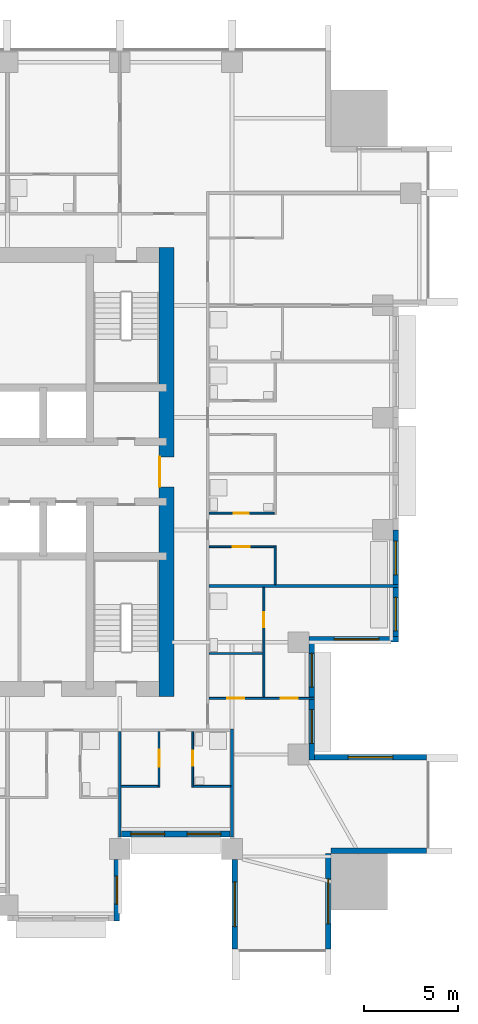
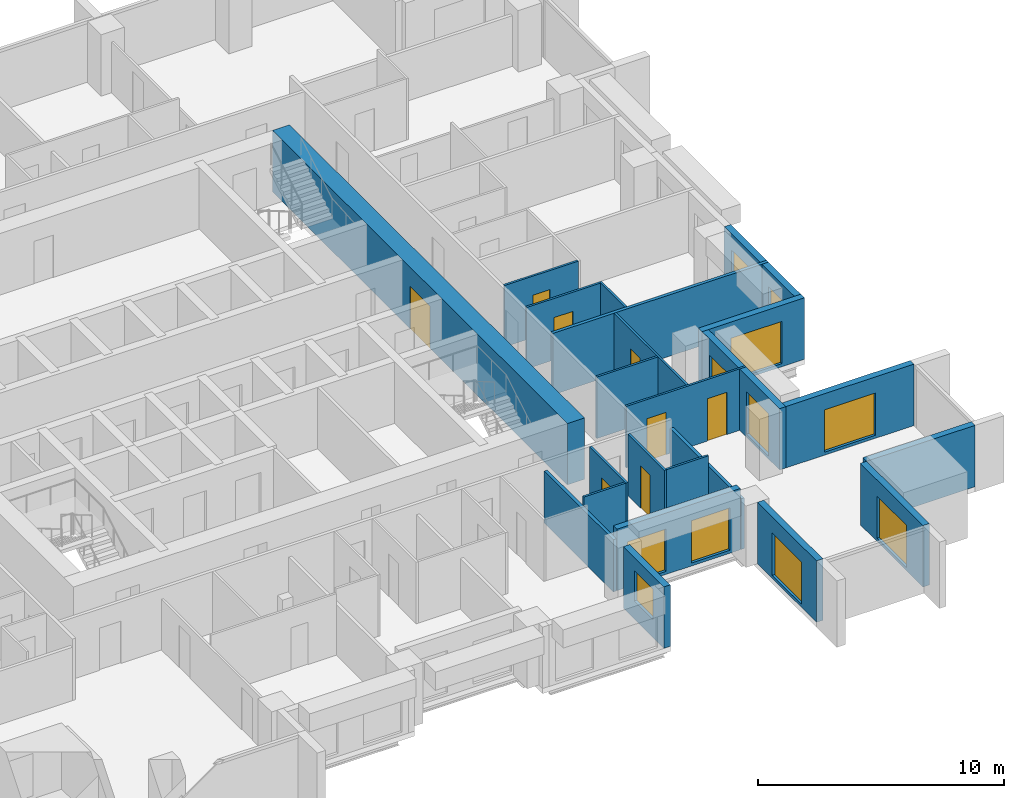
# One storey, part 6 of 11: 23 walls, 11 windows, 8 doors, 19 openings.
"""IFC4 building model written with IfcOpenShell, lengths in metres."""

from ifc_helpers import new_model, si_unit, direction, frame, frame_2d, origin, place, context, subcontext, project, spatial, rectangle, extrude, material, layer, layer_set, type_object, element, fill, save


model = new_model("IFC4")

# Units and contexts
model_context = context("Model", 3, precision=1e-05, world=origin(), true_north=direction((0.0, 1.0)))
body_context = subcontext(model_context, "Body", "Model", "MODEL_VIEW")
ifc_project = project(units=[si_unit("LENGTHUNIT", "METRE"), si_unit("AREAUNIT", "SQUARE_METRE"), si_unit("VOLUMEUNIT", "CUBIC_METRE"), si_unit("PLANEANGLEUNIT", "RADIAN"), si_unit("MASSUNIT", "GRAM", prefix="KILO")], contexts=[model_context])

# Site, building, storey
site_placement = place(None, origin())
site = spatial("IfcSite", under=ifc_project, at=site_placement, CompositionType="ELEMENT")
building_placement = place(site_placement, origin())
building = spatial("IfcBuilding", under=site, at=building_placement, Name="Amberfall Residences", CompositionType="ELEMENT")
storey_placement = place(building_placement, frame((0.0, 0.0, 95.199951171875)))
storey = spatial("IfcBuildingStorey", under=building, at=storey_placement, Name="L25", CompositionType="ELEMENT", Elevation=95.199951171875)

# Wall, opening, window
ifc_material_1 = material(Name="Pale stone cladding on insulated backing", Category="masonry")
ifc_layer_1 = layer(ifc_material_1, 0.300048828125)
ifc_layer_set_1 = layer_set([ifc_layer_1], Name="Bronze clad wall 300")
wall_type_1 = type_object("IfcWallType", Name="Bronze clad wall 300", PredefinedType="SOLIDWALL", material=ifc_layer_set_1)
wall_1_placement = place(storey_placement, frame((83.449951171875, 21.5, 0.0), z_axis=(0.0, 0.0, 1.0), x_axis=(0.0, 1.0, 0.0)))
wall_1 = element("IfcWall", 1, at=wall_1_placement, inside=storey, type_object=wall_type_1, Name="External wall L25 S", PredefinedType="SOLIDWALL", context=body_context, shape_type="SweptSolid", body=[
    extrude(rectangle(XDim=3.300048828125, YDim=0.300048828125, at=frame_2d((1.64990234375, 0.0))), origin(), (0.0, 0.0, 1.0), 3.050048828125),
])
opening_1_placement = place(wall_1_placement, frame((0.89990234375, 0.0, 0.89990234375)))
opening_1 = element("IfcOpeningElement", 2, at=opening_1_placement, cuts=wall_1, Name="Opening WN1", PredefinedType="OPENING", context=body_context, shape_type="SweptSolid", body=[
    extrude(rectangle(XDim=1.5, YDim=1.5, at=frame_2d((0.75, 0.75))), frame((0.0, 0.159912109375, 0.0), z_axis=(0.0, -1.0, 0.0), x_axis=(1.0, 0.0, 0.0)), (0.0, 0.0, 1.0), 0.320068359375),
])
ifc_material_2 = material(Name="Bronze aluminium framed glazing", Category="aluminium")
window_type_1 = type_object("IfcWindowType", Name="Window 1500 x 1500 bronze", PartitioningType="DOUBLE_PANEL_VERTICAL", PredefinedType="WINDOW", material=ifc_material_2)
window_1_placement = place(opening_1_placement, origin())
window_1 = element("IfcWindow", 3, at=window_1_placement, inside=storey, type_object=window_type_1, Name="Window L25 S", OverallHeight=1.5, OverallWidth=1.5, PartitioningType="DOUBLE_PANEL_VERTICAL", PredefinedType="WINDOW", context=body_context, shape_type="SweptSolid", body=[
    extrude(rectangle(XDim=1.5, YDim=1.5, at=frame_2d((0.75, 0.75))), frame((0.0, 0.030029296875, 0.0), z_axis=(0.0, -1.0, 0.0), x_axis=(1.0, 0.0, 0.0)), (0.0, 0.0, 1.0), 0.06005859375),
])
fill(opening_1, window_1)

wall_2_placement = place(storey_placement, frame((89.75, 24.800048828125, 0.0), z_axis=(0.0, 0.0, 1.0), x_axis=(0.0, -1.0, 0.0)))
wall_2 = element("IfcWall", 4, at=wall_2_placement, inside=storey, type_object=wall_type_1, Name="External wall L25 S", PredefinedType="SOLIDWALL", context=body_context, shape_type="SweptSolid", body=[
    extrude(rectangle(XDim=4.800048828125, YDim=0.300048828125, at=frame_2d((2.39990234375, 0.0))), origin(), (0.0, 0.0, 1.0), 3.050048828125),
])
opening_2_placement = place(wall_2_placement, frame((1.199951171875, 0.0, 0.14990234375)))
opening_2 = element("IfcOpeningElement", 5, at=opening_2_placement, cuts=wall_2, Name="Opening WN5", PredefinedType="OPENING", context=body_context, shape_type="SweptSolid", body=[
    extrude(rectangle(XDim=2.39990234375, YDim=2.10009765625, at=frame_2d((1.199951171875, 1.050048828125))), frame((0.0, 0.159912109375, 0.0), z_axis=(0.0, -1.0, 0.0), x_axis=(1.0, 0.0, 0.0)), (0.0, 0.0, 1.0), 0.320068359375),
])
window_type_2 = type_object("IfcWindowType", Name="Glazed opening 2400 x 2100 bronze", PartitioningType="DOUBLE_PANEL_VERTICAL", PredefinedType="WINDOW", material=ifc_material_2)
window_2_placement = place(opening_2_placement, origin())
window_2 = element("IfcWindow", 6, at=window_2_placement, inside=storey, type_object=window_type_2, Name="Window L25 S", OverallHeight=2.10009765625, OverallWidth=2.39990234375, PartitioningType="DOUBLE_PANEL_VERTICAL", PredefinedType="WINDOW", context=body_context, shape_type="SweptSolid", body=[
    extrude(rectangle(XDim=2.39990234375, YDim=2.10009765625, at=frame_2d((1.199951171875, 1.050048828125))), frame((0.0, 0.030029296875, 0.0), z_axis=(0.0, -1.0, 0.0), x_axis=(1.0, 0.0, 0.0)), (0.0, 0.0, 1.0), 0.06005859375),
])
fill(opening_2, window_2)

wall_3_placement = place(storey_placement, frame((94.75, 20.0, 0.0), z_axis=(0.0, 0.0, 1.0), x_axis=(0.0, 1.0, 0.0)))
wall_3 = element("IfcWall", 7, at=wall_3_placement, inside=storey, type_object=wall_type_1, Name="External wall L25 SE", PredefinedType="SOLIDWALL", context=body_context, shape_type="SweptSolid", body=[
    extrude(rectangle(XDim=5.10009765625, YDim=0.300048828125, at=frame_2d((2.550048828125, 0.0))), origin(), (0.0, 0.0, 1.0), 3.050048828125),
])
opening_3_placement = place(wall_3_placement, frame((1.35009765625, 0.0, 0.14990234375)))
opening_3 = element("IfcOpeningElement", 8, at=opening_3_placement, cuts=wall_3, Name="Opening WN5", PredefinedType="OPENING", context=body_context, shape_type="SweptSolid", body=[
    extrude(rectangle(XDim=2.39990234375, YDim=2.10009765625, at=frame_2d((1.199951171875, 1.050048828125))), frame((0.0, 0.159912109375, 0.0), z_axis=(0.0, -1.0, 0.0), x_axis=(1.0, 0.0, 0.0)), (0.0, 0.0, 1.0), 0.320068359375),
])
window_3_placement = place(opening_3_placement, origin())
window_3 = element("IfcWindow", 9, at=window_3_placement, inside=storey, type_object=window_type_2, Name="Window L25 SE", OverallHeight=2.10009765625, OverallWidth=2.39990234375, PartitioningType="DOUBLE_PANEL_VERTICAL", PredefinedType="WINDOW", context=body_context, shape_type="SweptSolid", body=[
    extrude(rectangle(XDim=2.39990234375, YDim=2.10009765625, at=frame_2d((1.199951171875, 1.050048828125))), frame((0.0, 0.030029296875, 0.0), z_axis=(0.0, -1.0, 0.0), x_axis=(1.0, 0.0, 0.0)), (0.0, 0.0, 1.0), 0.06005859375),
])
fill(opening_3, window_3)

# Wall
wall_4_placement = place(storey_placement, frame((94.89990234375, 25.25, 0.0), z_axis=(0.0, 0.0, 1.0), x_axis=(1.0, 0.0, 0.0)))
element("IfcWall", 10, at=wall_4_placement, inside=storey, type_object=wall_type_1, Name="External wall L25 SE", PredefinedType="SOLIDWALL", context=body_context, shape_type="SweptSolid", body=[
    extrude(rectangle(XDim=5.10009765625, YDim=0.300048828125, at=frame_2d((2.550048828125, 0.0))), origin(), (0.0, 0.0, 1.0), 3.050048828125),
])

# Wall, opening, window
wall_5_placement = place(storey_placement, frame((100.0, 30.25, 0.0), z_axis=(0.0, 0.0, 1.0), x_axis=(-1.0, 0.0, 0.0)))
wall_5 = element("IfcWall", 11, at=wall_5_placement, inside=storey, type_object=wall_type_1, Name="External wall L25 E", PredefinedType="SOLIDWALL", context=body_context, shape_type="SweptSolid", body=[
    extrude(rectangle(XDim=6.0, YDim=0.300048828125, at=frame_2d((3.0, 0.0))), origin(), (0.0, 0.0, 1.0), 3.050048828125),
])
opening_4_placement = place(wall_5_placement, frame((1.800048828125, 0.0, 0.14990234375)))
opening_4 = element("IfcOpeningElement", 12, at=opening_4_placement, cuts=wall_5, Name="Opening WN5", PredefinedType="OPENING", context=body_context, shape_type="SweptSolid", body=[
    extrude(rectangle(XDim=2.39990234375, YDim=2.10009765625, at=frame_2d((1.199951171875, 1.050048828125))), frame((0.0, 0.159912109375, 0.0), z_axis=(0.0, -1.0, 0.0), x_axis=(1.0, 0.0, 0.0)), (0.0, 0.0, 1.0), 0.320068359375),
])
window_4_placement = place(opening_4_placement, origin())
window_4 = element("IfcWindow", 13, at=window_4_placement, inside=storey, type_object=window_type_2, Name="Window L25 E", OverallHeight=2.10009765625, OverallWidth=2.39990234375, PartitioningType="DOUBLE_PANEL_VERTICAL", PredefinedType="WINDOW", context=body_context, shape_type="SweptSolid", body=[
    extrude(rectangle(XDim=2.39990234375, YDim=2.10009765625, at=frame_2d((1.199951171875, 1.050048828125))), frame((0.0, 0.030029296875, 0.0), z_axis=(0.0, -1.0, 0.0), x_axis=(1.0, 0.0, 0.0)), (0.0, 0.0, 1.0), 0.06005859375),
])
fill(opening_4, window_4)

wall_6_placement = place(storey_placement, frame((93.699951171875, 36.550048828125, 0.0), z_axis=(0.0, 0.0, 1.0), x_axis=(1.0, 0.0, 0.0)))
wall_6 = element("IfcWall", 14, at=wall_6_placement, inside=storey, type_object=wall_type_1, Name="External wall L25 E", PredefinedType="SOLIDWALL", context=body_context, shape_type="SweptSolid", body=[
    extrude(rectangle(XDim=4.800048828125, YDim=0.300048828125, at=frame_2d((2.39990234375, 0.0))), origin(), (0.0, 0.0, 1.0), 3.050048828125),
])
opening_5_placement = place(wall_6_placement, frame((1.35009765625, 0.0, 0.14990234375)))
opening_5 = element("IfcOpeningElement", 15, at=opening_5_placement, cuts=wall_6, Name="Opening WN5", PredefinedType="OPENING", context=body_context, shape_type="SweptSolid", body=[
    extrude(rectangle(XDim=2.39990234375, YDim=2.10009765625, at=frame_2d((1.199951171875, 1.050048828125))), frame((0.0, 0.159912109375, 0.0), z_axis=(0.0, -1.0, 0.0), x_axis=(1.0, 0.0, 0.0)), (0.0, 0.0, 1.0), 0.320068359375),
])
window_5_placement = place(opening_5_placement, origin())
window_5 = element("IfcWindow", 16, at=window_5_placement, inside=storey, type_object=window_type_2, Name="Window L25 E", OverallHeight=2.10009765625, OverallWidth=2.39990234375, PartitioningType="DOUBLE_PANEL_VERTICAL", PredefinedType="WINDOW", context=body_context, shape_type="SweptSolid", body=[
    extrude(rectangle(XDim=2.39990234375, YDim=2.10009765625, at=frame_2d((1.199951171875, 1.050048828125))), frame((0.0, 0.030029296875, 0.0), z_axis=(0.0, -1.0, 0.0), x_axis=(1.0, 0.0, 0.0)), (0.0, 0.0, 1.0), 0.06005859375),
])
fill(opening_5, window_5)

# Wall, openings, windows
wall_7_placement = place(storey_placement, frame((83.699951171875, 26.14990234375, 0.0), z_axis=(0.0, 0.0, 1.0), x_axis=(1.0, 0.0, 0.0)))
wall_7 = element("IfcWall", 17, at=wall_7_placement, inside=storey, type_object=wall_type_1, Name="Stone wall L25 S", PredefinedType="SOLIDWALL", context=body_context, shape_type="SweptSolid", body=[
    extrude(rectangle(XDim=5.7900390625, YDim=0.300048828125, at=frame_2d((2.89501953125, 0.0))), origin(), (0.0, 0.0, 1.0), 3.050048828125),
])
opening_6_placement = place(wall_7_placement, frame((0.5, 0.0, 0.14990234375)))
opening_6 = element("IfcOpeningElement", 18, at=opening_6_placement, cuts=wall_7, Name="Opening WN6", PredefinedType="OPENING", context=body_context, shape_type="SweptSolid", body=[
    extrude(rectangle(XDim=1.800048828125, YDim=2.10009765625, at=frame_2d((0.89990234375, 1.050048828125))), frame((0.0, 0.159912109375, 0.0), z_axis=(0.0, -1.0, 0.0), x_axis=(1.0, 0.0, 0.0)), (0.0, 0.0, 1.0), 0.320068359375),
])
opening_7_placement = place(wall_7_placement, frame((3.5, 0.0, 0.14990234375)))
opening_7 = element("IfcOpeningElement", 19, at=opening_7_placement, cuts=wall_7, Name="Opening WN6", PredefinedType="OPENING", context=body_context, shape_type="SweptSolid", body=[
    extrude(rectangle(XDim=1.800048828125, YDim=2.10009765625, at=frame_2d((0.89990234375, 1.050048828125))), frame((0.0, 0.159912109375, 0.0), z_axis=(0.0, -1.0, 0.0), x_axis=(1.0, 0.0, 0.0)), (0.0, 0.0, 1.0), 0.320068359375),
])
window_type_3 = type_object("IfcWindowType", Name="Glazed opening 1800 x 2100 bronze", PartitioningType="DOUBLE_PANEL_VERTICAL", PredefinedType="WINDOW", material=ifc_material_2)
window_6_placement = place(opening_6_placement, origin())
window_6 = element("IfcWindow", 20, at=window_6_placement, inside=storey, type_object=window_type_3, Name="Window L25 S", OverallHeight=2.10009765625, OverallWidth=1.800048828125, PartitioningType="DOUBLE_PANEL_VERTICAL", PredefinedType="WINDOW", context=body_context, shape_type="SweptSolid", body=[
    extrude(rectangle(XDim=1.800048828125, YDim=2.10009765625, at=frame_2d((0.89990234375, 1.050048828125))), frame((0.0, 0.030029296875, 0.0), z_axis=(0.0, -1.0, 0.0), x_axis=(1.0, 0.0, 0.0)), (0.0, 0.0, 1.0), 0.06005859375),
])
fill(opening_6, window_6)
window_7_placement = place(opening_7_placement, origin())
window_7 = element("IfcWindow", 21, at=window_7_placement, inside=storey, type_object=window_type_3, Name="Window L25 S", OverallHeight=2.10009765625, OverallWidth=1.800048828125, PartitioningType="DOUBLE_PANEL_VERTICAL", PredefinedType="WINDOW", context=body_context, shape_type="SweptSolid", body=[
    extrude(rectangle(XDim=1.800048828125, YDim=2.10009765625, at=frame_2d((0.89990234375, 1.050048828125))), frame((0.0, 0.030029296875, 0.0), z_axis=(0.0, -1.0, 0.0), x_axis=(1.0, 0.0, 0.0)), (0.0, 0.0, 1.0), 0.06005859375),
])
fill(opening_7, window_7)

wall_8_placement = place(storey_placement, frame((93.85009765625, 30.10009765625, 0.0), z_axis=(0.0, 0.0, 1.0), x_axis=(0.0, 1.0, 0.0)))
wall_8 = element("IfcWall", 22, at=wall_8_placement, inside=storey, type_object=wall_type_1, Name="Stone wall L25 E", PredefinedType="SOLIDWALL", context=body_context, shape_type="SweptSolid", body=[
    extrude(rectangle(XDim=6.2998046875, YDim=0.300048828125, at=frame_2d((3.14990234375, 0.0))), origin(), (0.0, 0.0, 1.0), 3.050048828125),
])
opening_8_placement = place(wall_8_placement, frame((0.89990234375, 0.0, 0.14990234375)))
opening_8 = element("IfcOpeningElement", 23, at=opening_8_placement, cuts=wall_8, Name="Opening WN6", PredefinedType="OPENING", context=body_context, shape_type="SweptSolid", body=[
    extrude(rectangle(XDim=1.800048828125, YDim=2.10009765625, at=frame_2d((0.89990234375, 1.050048828125))), frame((0.0, 0.159912109375, 0.0), z_axis=(0.0, -1.0, 0.0), x_axis=(1.0, 0.0, 0.0)), (0.0, 0.0, 1.0), 0.320068359375),
])
opening_9_placement = place(wall_8_placement, frame((3.89990234375, 0.0, 0.14990234375)))
opening_9 = element("IfcOpeningElement", 24, at=opening_9_placement, cuts=wall_8, Name="Opening WN6", PredefinedType="OPENING", context=body_context, shape_type="SweptSolid", body=[
    extrude(rectangle(XDim=1.800048828125, YDim=2.10009765625, at=frame_2d((0.89990234375, 1.050048828125))), frame((0.0, 0.159912109375, 0.0), z_axis=(0.0, -1.0, 0.0), x_axis=(1.0, 0.0, 0.0)), (0.0, 0.0, 1.0), 0.320068359375),
])
window_8_placement = place(opening_8_placement, origin())
window_8 = element("IfcWindow", 25, at=window_8_placement, inside=storey, type_object=window_type_3, Name="Window L25 E", OverallHeight=2.10009765625, OverallWidth=1.800048828125, PartitioningType="DOUBLE_PANEL_VERTICAL", PredefinedType="WINDOW", context=body_context, shape_type="SweptSolid", body=[
    extrude(rectangle(XDim=1.800048828125, YDim=2.10009765625, at=frame_2d((0.89990234375, 1.050048828125))), frame((0.0, 0.030029296875, 0.0), z_axis=(0.0, -1.0, 0.0), x_axis=(1.0, 0.0, 0.0)), (0.0, 0.0, 1.0), 0.06005859375),
])
fill(opening_8, window_8)
window_9_placement = place(opening_9_placement, origin())
window_9 = element("IfcWindow", 26, at=window_9_placement, inside=storey, type_object=window_type_3, Name="Window L25 E", OverallHeight=2.10009765625, OverallWidth=1.800048828125, PartitioningType="DOUBLE_PANEL_VERTICAL", PredefinedType="WINDOW", context=body_context, shape_type="SweptSolid", body=[
    extrude(rectangle(XDim=1.800048828125, YDim=2.10009765625, at=frame_2d((0.89990234375, 1.050048828125))), frame((0.0, 0.030029296875, 0.0), z_axis=(0.0, -1.0, 0.0), x_axis=(1.0, 0.0, 0.0)), (0.0, 0.0, 1.0), 0.06005859375),
])
fill(opening_9, window_9)

wall_9_placement = place(storey_placement, frame((98.35009765625, 36.699951171875, 0.0), z_axis=(0.0, 0.0, 1.0), x_axis=(0.0, 1.0, 0.0)))
wall_9 = element("IfcWall", 27, at=wall_9_placement, inside=storey, type_object=wall_type_1, Name="Stone wall L25 E", PredefinedType="SOLIDWALL", context=body_context, shape_type="SweptSolid", body=[
    extrude(rectangle(XDim=5.699951171875, YDim=0.300048828125, at=frame_2d((2.85009765625, 0.0))), origin(), (0.0, 0.0, 1.0), 3.050048828125),
])
opening_10_placement = place(wall_9_placement, frame((0.300048828125, 0.0, 0.14990234375)))
opening_10 = element("IfcOpeningElement", 28, at=opening_10_placement, cuts=wall_9, Name="Opening WN6", PredefinedType="OPENING", context=body_context, shape_type="SweptSolid", body=[
    extrude(rectangle(XDim=1.800048828125, YDim=2.10009765625, at=frame_2d((0.89990234375, 1.050048828125))), frame((0.0, 0.159912109375, 0.0), z_axis=(0.0, -1.0, 0.0), x_axis=(1.0, 0.0, 0.0)), (0.0, 0.0, 1.0), 0.320068359375),
])
opening_11_placement = place(wall_9_placement, frame((3.300048828125, 0.0, 0.14990234375)))
opening_11 = element("IfcOpeningElement", 29, at=opening_11_placement, cuts=wall_9, Name="Opening WN6", PredefinedType="OPENING", context=body_context, shape_type="SweptSolid", body=[
    extrude(rectangle(XDim=1.800048828125, YDim=2.10009765625, at=frame_2d((0.89990234375, 1.050048828125))), frame((0.0, 0.159912109375, 0.0), z_axis=(0.0, -1.0, 0.0), x_axis=(1.0, 0.0, 0.0)), (0.0, 0.0, 1.0), 0.320068359375),
])
window_10_placement = place(opening_10_placement, origin())
window_10 = element("IfcWindow", 30, at=window_10_placement, inside=storey, type_object=window_type_3, Name="Window L25 E", OverallHeight=2.10009765625, OverallWidth=1.800048828125, PartitioningType="DOUBLE_PANEL_VERTICAL", PredefinedType="WINDOW", context=body_context, shape_type="SweptSolid", body=[
    extrude(rectangle(XDim=1.800048828125, YDim=2.10009765625, at=frame_2d((0.89990234375, 1.050048828125))), frame((0.0, 0.030029296875, 0.0), z_axis=(0.0, -1.0, 0.0), x_axis=(1.0, 0.0, 0.0)), (0.0, 0.0, 1.0), 0.06005859375),
])
fill(opening_10, window_10)
window_11_placement = place(opening_11_placement, origin())
window_11 = element("IfcWindow", 31, at=window_11_placement, inside=storey, type_object=window_type_3, Name="Window L25 E", OverallHeight=2.10009765625, OverallWidth=1.800048828125, PartitioningType="DOUBLE_PANEL_VERTICAL", PredefinedType="WINDOW", context=body_context, shape_type="SweptSolid", body=[
    extrude(rectangle(XDim=1.800048828125, YDim=2.10009765625, at=frame_2d((0.89990234375, 1.050048828125))), frame((0.0, 0.030029296875, 0.0), z_axis=(0.0, -1.0, 0.0), x_axis=(1.0, 0.0, 0.0)), (0.0, 0.0, 1.0), 0.06005859375),
])
fill(opening_11, window_11)

# Wall, opening, door
ifc_material_3 = material(Name="Concrete C70", Category="concrete")
ifc_layer_2 = layer(ifc_material_3, 0.800048828125)
ifc_layer_set_2 = layer_set([ifc_layer_2], Name="Core wall 800 C70")
wall_type_2 = type_object("IfcWallType", Name="Core wall 800 C70", PredefinedType="SHEAR", material=ifc_layer_set_2)
wall_10_placement = place(storey_placement, frame((86.10009765625, 33.5, 0.0), z_axis=(0.0, 0.0, 1.0), x_axis=(0.0, 1.0, 0.0)))
wall_10 = element("IfcWall", 32, at=wall_10_placement, inside=storey, type_object=wall_type_2, Name="Core wall RW3 L25 OE", PredefinedType="SHEAR", context=body_context, shape_type="SweptSolid", body=[
    extrude(rectangle(XDim=24.0, YDim=0.800048828125, at=frame_2d((12.0, 0.0))), origin(), (0.0, 0.0, 1.0), 3.050048828125),
])
opening_12_placement = place(wall_10_placement, frame((11.199951171875, 0.0, 0.0)))
opening_12 = element("IfcOpeningElement", 33, at=opening_12_placement, cuts=wall_10, Name="Opening LB1", PredefinedType="OPENING", context=body_context, shape_type="SweptSolid", body=[
    extrude(rectangle(XDim=1.60009765625, YDim=2.10009765625, at=frame_2d((0.800048828125, 1.050048828125))), frame((0.0, 0.409912109375, 0.0), z_axis=(0.0, -1.0, 0.0), x_axis=(1.0, 0.0, 0.0)), (0.0, 0.0, 1.0), 0.820068359375),
])
ifc_material_4 = material(Name="Steel fire door set", Category="steel")
door_type_1 = type_object("IfcDoorType", Name="Lift lobby double door 1600 x 2100", OperationType="DOUBLE_DOOR_SINGLE_SWING", PredefinedType="DOOR", material=ifc_material_4)
door_1_placement = place(opening_12_placement, origin())
door_1 = element("IfcDoor", 34, at=door_1_placement, inside=storey, type_object=door_type_1, Name="LB1 L25", OperationType="DOUBLE_DOOR_SINGLE_SWING", OverallHeight=2.10009765625, OverallWidth=1.60009765625, PredefinedType="DOOR", context=body_context, shape_type="SweptSolid", body=[
    extrude(rectangle(XDim=1.60009765625, YDim=2.10009765625, at=frame_2d((0.800048828125, 1.050048828125))), frame((0.0, 0.3876953125, 0.0), z_axis=(0.0, -1.0, 0.0), x_axis=(1.0, 0.0, 0.0)), (0.0, 0.0, 1.0), 0.050048828125),
])
fill(opening_12, door_1)

ifc_material_5 = material(Name="Gypsum board on metal stud")
ifc_layer_3 = layer(ifc_material_5, 0.10009765625)
ifc_layer_set_3 = layer_set([ifc_layer_3], Name="Flat partition 100")
wall_type_3 = type_object("IfcWallType", Name="Flat partition 100", PredefinedType="PARTITIONING", material=ifc_layer_set_3)
wall_11_placement = place(storey_placement, frame((85.699951171875, 28.64990234375, 0.0), z_axis=(0.0, 0.0, 1.0), x_axis=(0.0, 1.0, 0.0)))
wall_11 = element("IfcWall", 35, at=wall_11_placement, inside=storey, type_object=wall_type_3, Name="Partition 019", PredefinedType="PARTITIONING", context=body_context, shape_type="SweptSolid", body=[
    extrude(rectangle(XDim=2.97509765625, YDim=0.10009765625, at=frame_2d((1.487548828125, 0.0))), origin(), (0.0, 0.0, 1.0), 3.050048828125),
])
opening_13_placement = place(wall_11_placement, frame((1.10009765625, 0.0, 0.0)))
opening_13 = element("IfcOpeningElement", 36, at=opening_13_placement, cuts=wall_11, Name="Opening D41", PredefinedType="OPENING", context=body_context, shape_type="SweptSolid", body=[
    extrude(rectangle(XDim=0.89990234375, YDim=2.10009765625, at=frame_2d((0.449951171875, 1.050048828125))), frame((0.0, 0.06005859375, 0.0), z_axis=(0.0, -1.0, 0.0), x_axis=(1.0, 0.0, 0.0)), (0.0, 0.0, 1.0), 0.1201171875),
])
ifc_material_6 = material(Name="Timber", Category="wood")
door_type_2 = type_object("IfcDoorType", Name="Internal door 900 x 2100", OperationType="SINGLE_SWING_LEFT", PredefinedType="DOOR", material=ifc_material_6)
door_2_placement = place(opening_13_placement, origin())
door_2 = element("IfcDoor", 37, at=door_2_placement, inside=storey, type_object=door_type_2, Name="Door 2504 kitchen", OperationType="SINGLE_SWING_LEFT", OverallHeight=2.10009765625, OverallWidth=0.89990234375, PredefinedType="DOOR", context=body_context, shape_type="SweptSolid", body=[
    extrude(rectangle(XDim=0.89990234375, YDim=2.10009765625, at=frame_2d((0.449951171875, 1.050048828125))), frame((0.0, 0.02490234375, 0.0), z_axis=(0.0, -1.0, 0.0), x_axis=(1.0, 0.0, 0.0)), (0.0, 0.0, 1.0), 0.050048828125),
])
fill(opening_13, door_2)

wall_12_placement = place(storey_placement, frame((87.5, 31.625, 0.0), z_axis=(0.0, 0.0, 1.0), x_axis=(0.0, -1.0, 0.0)))
wall_12 = element("IfcWall", 38, at=wall_12_placement, inside=storey, type_object=wall_type_3, Name="Partition 020", PredefinedType="PARTITIONING", context=body_context, shape_type="SweptSolid", body=[
    extrude(rectangle(XDim=2.97509765625, YDim=0.10009765625, at=frame_2d((1.487548828125, 0.0))), origin(), (0.0, 0.0, 1.0), 3.050048828125),
])
opening_14_placement = place(wall_12_placement, frame((1.02490234375, 0.0, 0.0)))
opening_14 = element("IfcOpeningElement", 39, at=opening_14_placement, cuts=wall_12, Name="Opening D42", PredefinedType="OPENING", context=body_context, shape_type="SweptSolid", body=[
    extrude(rectangle(XDim=0.800048828125, YDim=2.10009765625, at=frame_2d((0.39990234375, 1.050048828125))), frame((0.0, 0.06005859375, 0.0), z_axis=(0.0, -1.0, 0.0), x_axis=(1.0, 0.0, 0.0)), (0.0, 0.0, 1.0), 0.1201171875),
])
door_type_3 = type_object("IfcDoorType", Name="Bathroom door 800 x 2100", OperationType="SINGLE_SWING_LEFT", PredefinedType="DOOR", material=ifc_material_6)
door_3_placement = place(opening_14_placement, origin())
door_3 = element("IfcDoor", 40, at=door_3_placement, inside=storey, type_object=door_type_3, Name="Door 2504 bath1", OperationType="SINGLE_SWING_LEFT", OverallHeight=2.10009765625, OverallWidth=0.800048828125, PredefinedType="DOOR", context=body_context, shape_type="SweptSolid", body=[
    extrude(rectangle(XDim=0.800048828125, YDim=2.10009765625, at=frame_2d((0.39990234375, 1.050048828125))), frame((0.0, 0.02490234375, 0.0), z_axis=(0.0, -1.0, 0.0), x_axis=(1.0, 0.0, 0.0)), (0.0, 0.0, 1.0), 0.050048828125),
])
fill(opening_14, door_3)

wall_13_placement = place(storey_placement, frame((91.300048828125, 33.449951171875, 0.0), z_axis=(0.0, 0.0, 1.0), x_axis=(0.0, 1.0, 0.0)))
wall_13 = element("IfcWall", 41, at=wall_13_placement, inside=storey, type_object=wall_type_3, Name="Partition 021", PredefinedType="PARTITIONING", context=body_context, shape_type="SweptSolid", body=[
    extrude(rectangle(XDim=5.875, YDim=0.10009765625, at=frame_2d((2.9375, 0.0))), origin(), (0.0, 0.0, 1.0), 3.050048828125),
])
opening_15_placement = place(wall_13_placement, frame((3.75, 0.0, 0.0)))
opening_15 = element("IfcOpeningElement", 42, at=opening_15_placement, cuts=wall_13, Name="Opening D42", PredefinedType="OPENING", context=body_context, shape_type="SweptSolid", body=[
    extrude(rectangle(XDim=0.800048828125, YDim=2.10009765625, at=frame_2d((0.39990234375, 1.050048828125))), frame((0.0, 0.06005859375, 0.0), z_axis=(0.0, -1.0, 0.0), x_axis=(1.0, 0.0, 0.0)), (0.0, 0.0, 1.0), 0.1201171875),
])
door_4_placement = place(opening_15_placement, origin())
door_4 = element("IfcDoor", 43, at=door_4_placement, inside=storey, type_object=door_type_3, Name="Door 2505 bath1", OperationType="SINGLE_SWING_LEFT", OverallHeight=2.10009765625, OverallWidth=0.800048828125, PredefinedType="DOOR", context=body_context, shape_type="SweptSolid", body=[
    extrude(rectangle(XDim=0.800048828125, YDim=2.10009765625, at=frame_2d((0.39990234375, 1.050048828125))), frame((0.0, 0.02490234375, 0.0), z_axis=(0.0, -1.0, 0.0), x_axis=(1.0, 0.0, 0.0)), (0.0, 0.0, 1.0), 0.050048828125),
])
fill(opening_15, door_4)

# Wall
wall_14_placement = place(storey_placement, frame((91.89990234375, 39.47509765625, 0.0), z_axis=(0.0, 0.0, 1.0), x_axis=(0.0, 1.0, 0.0)))
element("IfcWall", 44, at=wall_14_placement, inside=storey, type_object=wall_type_3, Name="Partition 022", PredefinedType="PARTITIONING", context=body_context, shape_type="SweptSolid", body=[
    extrude(rectangle(XDim=2.074951171875, YDim=0.10009765625, at=frame_2d((1.03759765625, 0.0))), origin(), (0.0, 0.0, 1.0), 3.050048828125),
])

# Wall, opening, door
wall_15_placement = place(storey_placement, frame((88.375, 43.300048828125, 0.0), z_axis=(0.0, 0.0, 1.0), x_axis=(1.0, 0.0, 0.0)))
wall_15 = element("IfcWall", 45, at=wall_15_placement, inside=storey, type_object=wall_type_3, Name="Partition 039", PredefinedType="PARTITIONING", context=body_context, shape_type="SweptSolid", body=[
    extrude(rectangle(XDim=3.47509765625, YDim=0.10009765625, at=frame_2d((1.737548828125, 0.0))), origin(), (0.0, 0.0, 1.0), 3.050048828125),
])
opening_16_placement = place(wall_15_placement, frame((1.324951171875, 0.0, 0.0)))
opening_16 = element("IfcOpeningElement", 46, at=opening_16_placement, cuts=wall_15, Name="Opening D42", PredefinedType="OPENING", context=body_context, shape_type="SweptSolid", body=[
    extrude(rectangle(XDim=0.800048828125, YDim=2.10009765625, at=frame_2d((0.39990234375, 1.050048828125))), frame((0.0, 0.06005859375, 0.0), z_axis=(0.0, -1.0, 0.0), x_axis=(1.0, 0.0, 0.0)), (0.0, 0.0, 1.0), 0.1201171875),
])
door_5_placement = place(opening_16_placement, origin())
door_5 = element("IfcDoor", 47, at=door_5_placement, inside=storey, type_object=door_type_3, Name="Door 2506 bath1", OperationType="SINGLE_SWING_LEFT", OverallHeight=2.10009765625, OverallWidth=0.800048828125, PredefinedType="DOOR", context=body_context, shape_type="SweptSolid", body=[
    extrude(rectangle(XDim=0.800048828125, YDim=2.10009765625, at=frame_2d((0.39990234375, 1.050048828125))), frame((0.0, 0.02490234375, 0.0), z_axis=(0.0, -1.0, 0.0), x_axis=(1.0, 0.0, 0.0)), (0.0, 0.0, 1.0), 0.050048828125),
])
fill(opening_16, door_5)

wall_16_placement = place(storey_placement, frame((91.85009765625, 41.5, 0.0), z_axis=(0.0, 0.0, 1.0), x_axis=(-1.0, 0.0, 0.0)))
wall_16 = element("IfcWall", 48, at=wall_16_placement, inside=storey, type_object=wall_type_3, Name="Partition 040", PredefinedType="PARTITIONING", context=body_context, shape_type="SweptSolid", body=[
    extrude(rectangle(XDim=3.47509765625, YDim=0.10009765625, at=frame_2d((1.737548828125, 0.0))), origin(), (0.0, 0.0, 1.0), 3.050048828125),
])
opening_17_placement = place(wall_16_placement, frame((1.300048828125, 0.0, 0.0)))
opening_17 = element("IfcOpeningElement", 49, at=opening_17_placement, cuts=wall_16, Name="Opening D41", PredefinedType="OPENING", context=body_context, shape_type="SweptSolid", body=[
    extrude(rectangle(XDim=0.89990234375, YDim=2.10009765625, at=frame_2d((0.449951171875, 1.050048828125))), frame((0.0, 0.06005859375, 0.0), z_axis=(0.0, -1.0, 0.0), x_axis=(1.0, 0.0, 0.0)), (0.0, 0.0, 1.0), 0.1201171875),
])
door_6_placement = place(opening_17_placement, origin())
door_6 = element("IfcDoor", 50, at=door_6_placement, inside=storey, type_object=door_type_2, Name="Door 2506 kitchen", OperationType="SINGLE_SWING_LEFT", OverallHeight=2.10009765625, OverallWidth=0.89990234375, PredefinedType="DOOR", context=body_context, shape_type="SweptSolid", body=[
    extrude(rectangle(XDim=0.89990234375, YDim=2.10009765625, at=frame_2d((0.449951171875, 1.050048828125))), frame((0.0, 0.02490234375, 0.0), z_axis=(0.0, -1.0, 0.0), x_axis=(1.0, 0.0, 0.0)), (0.0, 0.0, 1.0), 0.050048828125),
])
fill(opening_17, door_6)

# Wall
wall_17_placement = place(storey_placement, frame((88.375, 35.800048828125, 0.0), z_axis=(0.0, 0.0, 1.0), x_axis=(1.0, 0.0, 0.0)))
element("IfcWall", 51, at=wall_17_placement, inside=storey, type_object=wall_type_3, Name="Partition 043", PredefinedType="PARTITIONING", context=body_context, shape_type="SweptSolid", body=[
    extrude(rectangle(XDim=2.875, YDim=0.10009765625, at=frame_2d((1.4375, 0.0))), origin(), (0.0, 0.0, 1.0), 3.050048828125),
])

# Wall, openings, doors
wall_18_placement = place(storey_placement, frame((88.375, 33.39990234375, 0.0), z_axis=(0.0, 0.0, 1.0), x_axis=(1.0, 0.0, 0.0)))
wall_18 = element("IfcWall", 52, at=wall_18_placement, inside=storey, type_object=wall_type_3, Name="Partition 045", PredefinedType="PARTITIONING", context=body_context, shape_type="SweptSolid", body=[
    extrude(rectangle(XDim=5.625, YDim=0.10009765625, at=frame_2d((2.8125, 0.0))), origin(), (0.0, 0.0, 1.0), 3.050048828125),
])
opening_18_placement = place(wall_18_placement, frame((0.97509765625, 0.0, 0.0)))
opening_18 = element("IfcOpeningElement", 53, at=opening_18_placement, cuts=wall_18, Name="Opening D41", PredefinedType="OPENING", context=body_context, shape_type="SweptSolid", body=[
    extrude(rectangle(XDim=0.89990234375, YDim=2.10009765625, at=frame_2d((0.449951171875, 1.050048828125))), frame((0.0, 0.06005859375, 0.0), z_axis=(0.0, -1.0, 0.0), x_axis=(1.0, 0.0, 0.0)), (0.0, 0.0, 1.0), 0.1201171875),
])
opening_19_placement = place(wall_18_placement, frame((3.824951171875, 0.0, 0.0)))
opening_19 = element("IfcOpeningElement", 54, at=opening_19_placement, cuts=wall_18, Name="Opening D41", PredefinedType="OPENING", context=body_context, shape_type="SweptSolid", body=[
    extrude(rectangle(XDim=0.89990234375, YDim=2.10009765625, at=frame_2d((0.449951171875, 1.050048828125))), frame((0.0, 0.06005859375, 0.0), z_axis=(0.0, -1.0, 0.0), x_axis=(1.0, 0.0, 0.0)), (0.0, 0.0, 1.0), 0.1201171875),
])
door_7_placement = place(opening_18_placement, origin())
door_7 = element("IfcDoor", 55, at=door_7_placement, inside=storey, type_object=door_type_2, Name="Door 2505 kitchen", OperationType="SINGLE_SWING_LEFT", OverallHeight=2.10009765625, OverallWidth=0.89990234375, PredefinedType="DOOR", context=body_context, shape_type="SweptSolid", body=[
    extrude(rectangle(XDim=0.89990234375, YDim=2.10009765625, at=frame_2d((0.449951171875, 1.050048828125))), frame((0.0, 0.02490234375, 0.0), z_axis=(0.0, -1.0, 0.0), x_axis=(1.0, 0.0, 0.0)), (0.0, 0.0, 1.0), 0.050048828125),
])
fill(opening_18, door_7)
door_8_placement = place(opening_19_placement, origin())
door_8 = element("IfcDoor", 56, at=door_8_placement, inside=storey, type_object=door_type_2, Name="Door 2505 bedroom1", OperationType="SINGLE_SWING_LEFT", OverallHeight=2.10009765625, OverallWidth=0.89990234375, PredefinedType="DOOR", context=body_context, shape_type="SweptSolid", body=[
    extrude(rectangle(XDim=0.89990234375, YDim=2.10009765625, at=frame_2d((0.449951171875, 1.050048828125))), frame((0.0, 0.02490234375, 0.0), z_axis=(0.0, -1.0, 0.0), x_axis=(1.0, 0.0, 0.0)), (0.0, 0.0, 1.0), 0.050048828125),
])
fill(opening_19, door_8)

# Walls
for number, where, z_axis, x_axis, name in (
    (57, (83.675048828125, 28.699951171875, 0.0), (0.0, 0.0, 1.0), (1.0, 0.0, 0.0), "Partition 047"),
    (58, (87.550048828125, 28.699951171875, 0.0), (0.0, 0.0, 1.0), (1.0, 0.0, 0.0), "Partition 048"),
):
    element("IfcWall", number, at=place(storey_placement, frame(where, z_axis=z_axis, x_axis=x_axis)), inside=storey, type_object=wall_type_3, Name=name, PredefinedType="PARTITIONING", context=body_context, shape_type="SweptSolid", body=[
        extrude(rectangle(XDim=1.974853515625, YDim=0.10009765625, at=frame_2d((0.9873046875, 0.0))), origin(), (0.0, 0.0, 1.0), 3.050048828125),
    ])
ifc_material_7 = material(Name="Blockwork, plastered", Category="masonry")
ifc_layer_4 = layer(ifc_material_7, 0.14990234375)
ifc_layer_set_4 = layer_set([ifc_layer_4], Name="Flat separating wall 150")
wall_type_4 = type_object("IfcWallType", Name="Flat separating wall 150", PredefinedType="PARTITIONING", material=ifc_layer_set_4)
wall_19_placement = place(storey_placement, frame((83.60009765625, 26.0, 0.0), z_axis=(0.0, 0.0, 1.0), x_axis=(0.0, 1.0, 0.0)))
element("IfcWall", 59, at=wall_19_placement, inside=storey, type_object=wall_type_4, Name="Separating wall 060", PredefinedType="PARTITIONING", context=body_context, shape_type="SweptSolid", body=[
    extrude(rectangle(XDim=5.625, YDim=0.14990234375, at=frame_2d((2.8125, 0.0))), origin(), (0.0, 0.0, 1.0), 2.589111328125),
])
wall_20_placement = place(storey_placement, frame((89.60009765625, 26.0, 0.0), z_axis=(0.0, 0.0, 1.0), x_axis=(0.0, 1.0, 0.0)))
element("IfcWall", 60, at=wall_20_placement, inside=storey, type_object=wall_type_4, Name="Separating wall 062", PredefinedType="PARTITIONING", context=body_context, shape_type="SweptSolid", body=[
    extrude(rectangle(XDim=5.77490234375, YDim=0.14990234375, at=frame_2d((2.887451171875, 0.0))), origin(), (0.0, 0.0, 1.0), 2.51611328125),
])
wall_21_placement = place(storey_placement, frame((88.375, 39.39990234375, 0.0), z_axis=(0.0, 0.0, 1.0), x_axis=(1.0, 0.0, 0.0)))
element("IfcWall", 61, at=wall_21_placement, inside=storey, type_object=wall_type_4, Name="Separating wall 069", PredefinedType="PARTITIONING", context=body_context, shape_type="SweptSolid", body=[
    extrude(rectangle(XDim=10.125, YDim=0.14990234375, at=frame_2d((5.0625, 0.0))), origin(), (0.0, 0.0, 1.0), 3.050048828125),
])

save(model, "model.ifc")
